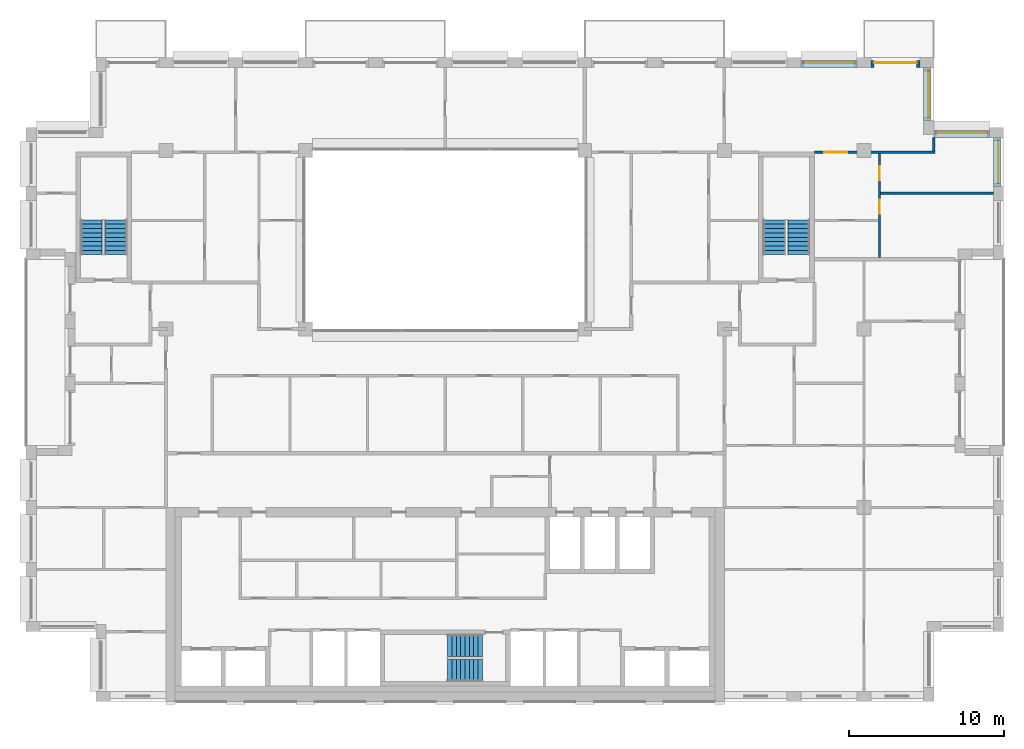
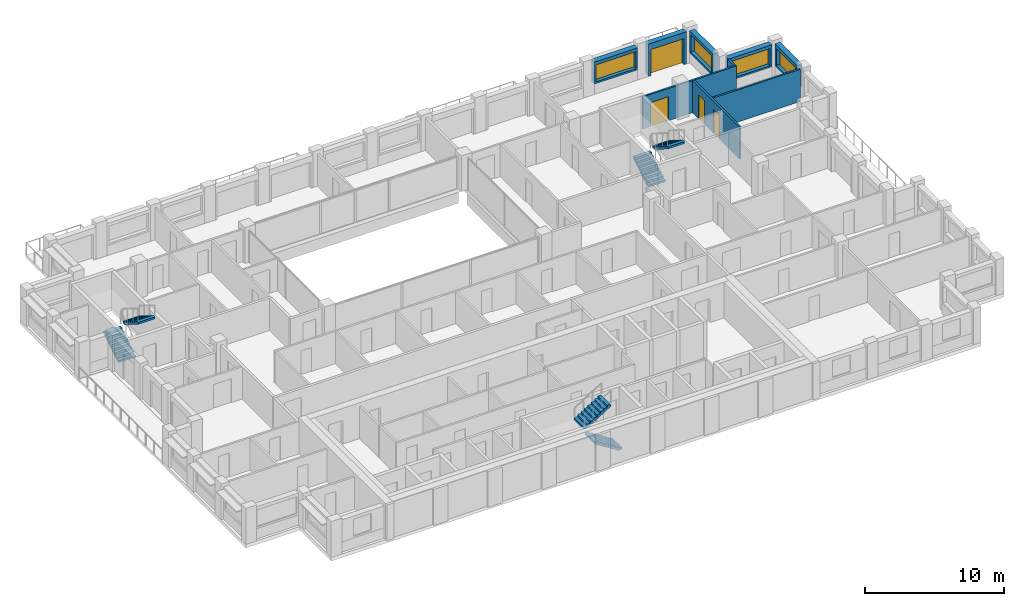
# One storey, part 14 of 15: 9 walls, 6 stair flights, 4 doors, 4 windows, 8 openings, 3 elements without a shape of their own.
"""IFC4 building model written with IfcOpenShell, lengths in metres."""

from ifc_helpers import new_model, si_unit, direction, frame, frame_2d, origin, place, context, subcontext, project, spatial, polyline, rectangle, outline, extrude, material, layer, layer_set, type_object, element, fill, aggregate, save


model = new_model("IFC4")

# Units and contexts
model_context = context("Model", 3, precision=1e-05, world=origin(), true_north=direction((0.0, 1.0)))
body_context = subcontext(model_context, "Body", "Model", "MODEL_VIEW")
ifc_project = project(units=[si_unit("LENGTHUNIT", "METRE"), si_unit("AREAUNIT", "SQUARE_METRE"), si_unit("VOLUMEUNIT", "CUBIC_METRE"), si_unit("PLANEANGLEUNIT", "RADIAN"), si_unit("MASSUNIT", "GRAM", prefix="KILO")], contexts=[model_context])

# Site, building, storey
site_placement = place(None, origin())
site = spatial("IfcSite", under=ifc_project, at=site_placement, CompositionType="ELEMENT")
building_placement = place(site_placement, origin())
building = spatial("IfcBuilding", under=site, at=building_placement, Name="Brigalow Station Residences", CompositionType="ELEMENT")
storey_placement = place(building_placement, frame((0.0, 0.0, 213.75)))
storey = spatial("IfcBuildingStorey", under=building, at=storey_placement, Name="L61", CompositionType="ELEMENT", Elevation=213.75)

# Wall, opening, window
ifc_material_1 = material(Name="Clay brick masonry", Category="masonry")
ifc_layer_1 = layer(ifc_material_1, 0.449951171875)
ifc_layer_set_1 = layer_set([ifc_layer_1], Name="BRICK INFILL WALL 450")
wall_type_1 = type_object("IfcWallType", Name="BRICK INFILL WALL 450", PredefinedType="SOLIDWALL", material=ifc_layer_set_1)
wall_1_placement = place(storey_placement, frame((71.574951171875, 33.199951171875, 0.89990234375), z_axis=(0.0, 0.0, 1.0), x_axis=(0.0, 1.0, 0.0)))
wall_1 = element("IfcWall", 1, at=wall_1_placement, inside=storey, type_object=wall_type_1, Name="L61/ewall/W-L61-17", PredefinedType="SOLIDWALL", context=body_context, shape_type="SweptSolid", body=[
    extrude(rectangle(XDim=3.150146484375, YDim=0.449951171875, at=frame_2d((1.5751953125, 0.0))), origin(), (0.0, 0.0, 1.0), 1.93017578125),
])
opening_1_placement = place(wall_1_placement, frame((0.199951171875, 0.0, 0.14990234375)))
opening_1 = element("IfcOpeningElement", 2, at=opening_1_placement, cuts=wall_1, Name="Opening WT-3", PredefinedType="OPENING", context=body_context, shape_type="SweptSolid", body=[
    extrude(rectangle(XDim=2.75, YDim=1.5, at=frame_2d((1.375, 0.75))), frame((0.0, 0.23486328125, 0.0), z_axis=(0.0, -1.0, 0.0), x_axis=(1.0, 0.0, 0.0)), (0.0, 0.0, 1.0), 0.469970703125),
])
ifc_material_2 = material(Name="Anodised aluminium frame with double glazing", Category="aluminium")
window_type_1 = type_object("IfcWindowType", Name="WINDOW 2750x1500", PartitioningType="SINGLE_PANEL", PredefinedType="WINDOW", material=ifc_material_2)
window_1_placement = place(opening_1_placement, origin())
window_1 = element("IfcWindow", 3, at=window_1_placement, inside=storey, type_object=window_type_1, Name="L61/window/W-L61-17", OverallHeight=1.5, OverallWidth=2.75, PartitioningType="SINGLE_PANEL", PredefinedType="WINDOW", context=body_context, shape_type="SweptSolid", body=[
    extrude(rectangle(XDim=2.75, YDim=1.5, at=frame_2d((1.375, 0.75))), frame((0.0, -0.06494140625, 0.0), z_axis=(0.0, -1.0, 0.0), x_axis=(1.0, 0.0, 0.0)), (0.0, 0.0, 1.0), 0.06005859375),
])
fill(opening_1, window_1)

wall_2_placement = place(storey_placement, frame((71.10009765625, 36.574951171875, 0.89990234375), z_axis=(0.0, 0.0, 1.0), x_axis=(-1.0, 0.0, 0.0)))
wall_2 = element("IfcWall", 4, at=wall_2_placement, inside=storey, type_object=wall_type_1, Name="L61/ewall/W-L61-18", PredefinedType="SOLIDWALL", context=body_context, shape_type="SweptSolid", body=[
    extrude(rectangle(XDim=3.60009765625, YDim=0.449951171875, at=frame_2d((1.800048828125, 0.0))), origin(), (0.0, 0.0, 1.0), 1.93017578125),
])
opening_2_placement = place(wall_2_placement, frame((0.14990234375, 0.0, 0.14990234375)))
opening_2 = element("IfcOpeningElement", 5, at=opening_2_placement, cuts=wall_2, Name="Opening WT-10", PredefinedType="OPENING", context=body_context, shape_type="SweptSolid", body=[
    extrude(rectangle(XDim=3.300048828125, YDim=1.5, at=frame_2d((1.64990234375, 0.75))), frame((0.0, 0.23486328125, 0.0), z_axis=(0.0, -1.0, 0.0), x_axis=(1.0, 0.0, 0.0)), (0.0, 0.0, 1.0), 0.469970703125),
])
ifc_material_3 = material(Name="Anodised aluminium frame with double glazing", Category="aluminium")
window_type_2 = type_object("IfcWindowType", Name="WINDOW 3300x1500", PartitioningType="SINGLE_PANEL", PredefinedType="WINDOW", material=ifc_material_3)
window_2_placement = place(opening_2_placement, origin())
window_2 = element("IfcWindow", 6, at=window_2_placement, inside=storey, type_object=window_type_2, Name="L61/window/W-L61-18", OverallHeight=1.5, OverallWidth=3.300048828125, PartitioningType="SINGLE_PANEL", PredefinedType="WINDOW", context=body_context, shape_type="SweptSolid", body=[
    extrude(rectangle(XDim=3.300048828125, YDim=1.5, at=frame_2d((1.64990234375, 0.75))), frame((0.0, -0.06494140625, 0.0), z_axis=(0.0, -1.0, 0.0), x_axis=(1.0, 0.0, 0.0)), (0.0, 0.0, 1.0), 0.06005859375),
])
fill(opening_2, window_2)

wall_3_placement = place(storey_placement, frame((67.074951171875, 37.449951171875, 0.89990234375), z_axis=(0.0, 0.0, 1.0), x_axis=(0.0, 1.0, 0.0)))
wall_3 = element("IfcWall", 7, at=wall_3_placement, inside=storey, type_object=wall_type_1, Name="L61/ewall/W-L61-19", PredefinedType="SOLIDWALL", context=body_context, shape_type="SweptSolid", body=[
    extrude(rectangle(XDim=3.400146484375, YDim=0.449951171875, at=frame_2d((1.7001953125, 0.0))), origin(), (0.0, 0.0, 1.0), 1.93017578125),
])
opening_3_placement = place(wall_3_placement, frame((0.199951171875, 0.0, 0.14990234375)))
opening_3 = element("IfcOpeningElement", 8, at=opening_3_placement, cuts=wall_3, Name="Opening WT-2", PredefinedType="OPENING", context=body_context, shape_type="SweptSolid", body=[
    extrude(rectangle(XDim=3.0, YDim=1.5, at=frame_2d((1.5, 0.75))), frame((0.0, 0.23486328125, 0.0), z_axis=(0.0, -1.0, 0.0), x_axis=(1.0, 0.0, 0.0)), (0.0, 0.0, 1.0), 0.469970703125),
])
ifc_material_4 = material(Name="Anodised aluminium frame with double glazing", Category="aluminium")
window_type_3 = type_object("IfcWindowType", Name="WINDOW 3000x1500", PartitioningType="SINGLE_PANEL", PredefinedType="WINDOW", material=ifc_material_4)
window_3_placement = place(opening_3_placement, origin())
window_3 = element("IfcWindow", 9, at=window_3_placement, inside=storey, type_object=window_type_3, Name="L61/window/W-L61-19", OverallHeight=1.5, OverallWidth=3.0, PartitioningType="SINGLE_PANEL", PredefinedType="WINDOW", context=body_context, shape_type="SweptSolid", body=[
    extrude(rectangle(XDim=3.0, YDim=1.5, at=frame_2d((1.5, 0.75))), frame((0.0, -0.06494140625, 0.0), z_axis=(0.0, -1.0, 0.0), x_axis=(1.0, 0.0, 0.0)), (0.0, 0.0, 1.0), 0.06005859375),
])
fill(opening_3, window_3)

# Wall, opening, door
wall_4_placement = place(storey_placement, frame((66.60009765625, 41.074951171875, 0.0), z_axis=(0.0, 0.0, 1.0), x_axis=(-1.0, 0.0, 0.0)))
wall_4 = element("IfcWall", 10, at=wall_4_placement, inside=storey, type_object=wall_type_1, Name="L61/ewall/W-L61-20", PredefinedType="SOLIDWALL", context=body_context, shape_type="SweptSolid", body=[
    extrude(rectangle(XDim=3.150146484375, YDim=0.449951171875, at=frame_2d((1.5751953125, 0.0))), origin(), (0.0, 0.0, 1.0), 2.830078125),
])
opening_4_placement = place(wall_4_placement, frame((0.199951171875, 0.0, 0.0)))
opening_4 = element("IfcOpeningElement", 11, at=opening_4_placement, cuts=wall_4, Name="Opening D-B2750", PredefinedType="OPENING", context=body_context, shape_type="SweptSolid", body=[
    extrude(rectangle(XDim=2.75, YDim=2.300048828125, at=frame_2d((1.375, 1.14990234375))), frame((0.0, 0.23486328125, 0.0), z_axis=(0.0, -1.0, 0.0), x_axis=(1.0, 0.0, 0.0)), (0.0, 0.0, 1.0), 0.469970703125),
])
ifc_material_5 = material(Name="Anodised aluminium frame with double glazing", Category="aluminium")
door_type_1 = type_object("IfcDoorType", Name="BALCONY SLIDING DOOR 2750x2300", OperationType="SLIDING_TO_LEFT", PredefinedType="DOOR", material=ifc_material_5)
door_1_placement = place(opening_4_placement, origin())
door_1 = element("IfcDoor", 12, at=door_1_placement, inside=storey, type_object=door_type_1, Name="L61/balcony-door/W-L61-20", OperationType="SLIDING_TO_LEFT", OverallHeight=2.300048828125, OverallWidth=2.75, PredefinedType="DOOR", context=body_context, shape_type="SweptSolid", body=[
    extrude(rectangle(XDim=2.75, YDim=2.300048828125, at=frame_2d((1.375, 1.14990234375))), frame((0.0, -0.06982421875, 0.0), z_axis=(0.0, -1.0, 0.0), x_axis=(1.0, 0.0, 0.0)), (0.0, 0.0, 1.0), 0.050048828125),
])
fill(opening_4, door_1)

# Wall, opening, window
wall_5_placement = place(storey_placement, frame((62.550048828125, 41.074951171875, 0.89990234375), z_axis=(0.0, 0.0, 1.0), x_axis=(-1.0, 0.0, 0.0)))
wall_5 = element("IfcWall", 13, at=wall_5_placement, inside=storey, type_object=wall_type_1, Name="L61/ewall/W-L61-21", PredefinedType="SOLIDWALL", context=body_context, shape_type="SweptSolid", body=[
    extrude(rectangle(XDim=3.60009765625, YDim=0.449951171875, at=frame_2d((1.800048828125, 0.0))), origin(), (0.0, 0.0, 1.0), 1.93017578125),
])
opening_5_placement = place(wall_5_placement, frame((0.14990234375, 0.0, 0.14990234375)))
opening_5 = element("IfcOpeningElement", 14, at=opening_5_placement, cuts=wall_5, Name="Opening WT-10", PredefinedType="OPENING", context=body_context, shape_type="SweptSolid", body=[
    extrude(rectangle(XDim=3.300048828125, YDim=1.5, at=frame_2d((1.64990234375, 0.75))), frame((0.0, 0.23486328125, 0.0), z_axis=(0.0, -1.0, 0.0), x_axis=(1.0, 0.0, 0.0)), (0.0, 0.0, 1.0), 0.469970703125),
])
window_4_placement = place(opening_5_placement, origin())
window_4 = element("IfcWindow", 15, at=window_4_placement, inside=storey, type_object=window_type_2, Name="L61/window/W-L61-21", OverallHeight=1.5, OverallWidth=3.300048828125, PartitioningType="SINGLE_PANEL", PredefinedType="WINDOW", context=body_context, shape_type="SweptSolid", body=[
    extrude(rectangle(XDim=3.300048828125, YDim=1.5, at=frame_2d((1.64990234375, 0.75))), frame((0.0, -0.06494140625, 0.0), z_axis=(0.0, -1.0, 0.0), x_axis=(1.0, 0.0, 0.0)), (0.0, 0.0, 1.0), 0.06005859375),
])
fill(opening_5, window_4)

# Wall, opening, door
ifc_material_6 = material(Name="Plasterboard on steel stud partition", Category="steel")
ifc_layer_2 = layer(ifc_material_6, 0.14990234375)
ifc_layer_set_2 = layer_set([ifc_layer_2], Name="FLAT PARTITION 150")
wall_type_2 = type_object("IfcWallType", Name="FLAT PARTITION 150", PredefinedType="PARTITIONING", material=ifc_layer_set_2)
wall_6_placement = place(storey_placement, frame((59.800048828125, 35.39990234375, 0.0), z_axis=(0.0, 0.0, 1.0), x_axis=(1.0, 0.0, 0.0)))
wall_6 = element("IfcWall", 16, at=wall_6_placement, inside=storey, type_object=wall_type_2, Name="PW-4B21", PredefinedType="PARTITIONING", context=body_context, shape_type="SweptSolid", body=[
    extrude(rectangle(XDim=7.77490234375, YDim=0.14990234375, at=frame_2d((3.887451171875, 0.0))), origin(), (0.0, 0.0, 1.0), 2.830078125),
])
opening_6_placement = place(wall_6_placement, frame((0.625, 0.0, 0.0)))
opening_6 = element("IfcOpeningElement", 17, at=opening_6_placement, cuts=wall_6, Name="Opening D-4B27", PredefinedType="OPENING", context=body_context, shape_type="SweptSolid", body=[
    extrude(rectangle(XDim=1.5, YDim=2.10009765625, at=frame_2d((0.75, 1.050048828125))), frame((0.0, 0.0849609375, 0.0), z_axis=(0.0, -1.0, 0.0), x_axis=(1.0, 0.0, 0.0)), (0.0, 0.0, 1.0), 0.169921875),
])
ifc_material_7 = material(Name="Solid-core timber door leaf", Category="wood")
door_type_2 = type_object("IfcDoorType", Name="INTERNAL DOUBLE DOOR 1500 x 2100", OperationType="DOUBLE_DOOR_SINGLE_SWING", PredefinedType="DOOR", material=ifc_material_7)
door_2_placement = place(opening_6_placement, origin())
door_2 = element("IfcDoor", 18, at=door_2_placement, inside=storey, type_object=door_type_2, Name="D-4B27", OperationType="DOUBLE_DOOR_SINGLE_SWING", OverallHeight=2.10009765625, OverallWidth=1.5, PredefinedType="DOOR", context=body_context, shape_type="SweptSolid", body=[
    extrude(rectangle(XDim=1.5, YDim=2.10009765625, at=frame_2d((0.75, 1.050048828125))), frame((0.0, 0.02490234375, 0.0), z_axis=(0.0, -1.0, 0.0), x_axis=(1.0, 0.0, 0.0)), (0.0, 0.0, 1.0), 0.050048828125),
])
fill(opening_6, door_2)

# Walls
wall_7_placement = place(storey_placement, frame((64.074951171875, 32.75, 0.0), z_axis=(0.0, 0.0, 1.0), x_axis=(1.0, 0.0, 0.0)))
element("IfcWall", 19, at=wall_7_placement, inside=storey, type_object=wall_type_2, Name="PW-4B23", PredefinedType="PARTITIONING", context=body_context, shape_type="SweptSolid", body=[
    extrude(rectangle(XDim=7.275146484375, YDim=0.14990234375, at=frame_2d((3.6376953125, 0.0))), origin(), (0.0, 0.0, 1.0), 2.830078125),
])
wall_8_placement = place(storey_placement, frame((67.5, 35.47509765625, 0.0), z_axis=(0.0, 0.0, 1.0), x_axis=(0.0, 1.0, 0.0)))
element("IfcWall", 20, at=wall_8_placement, inside=storey, type_object=wall_type_2, Name="PW-4B45", PredefinedType="PARTITIONING", context=body_context, shape_type="SweptSolid", body=[
    extrude(rectangle(XDim=0.875, YDim=0.14990234375, at=frame_2d((0.4375, 0.0))), origin(), (0.0, 0.0, 1.0), 2.830078125),
])

# Wall, openings, doors
wall_9_placement = place(storey_placement, frame((64.0, 28.60009765625, 0.0), z_axis=(0.0, 0.0, 1.0), x_axis=(0.0, 1.0, 0.0)))
wall_9 = element("IfcWall", 21, at=wall_9_placement, inside=storey, type_object=wall_type_2, Name="PW-4B46", PredefinedType="PARTITIONING", context=body_context, shape_type="SweptSolid", body=[
    extrude(rectangle(XDim=6.724853515625, YDim=0.14990234375, at=frame_2d((3.3623046875, 0.0))), origin(), (0.0, 0.0, 1.0), 2.830078125),
])
opening_7_placement = place(wall_9_placement, frame((2.824951171875, 0.0, 0.0)))
opening_7 = element("IfcOpeningElement", 22, at=opening_7_placement, cuts=wall_9, Name="Opening D-4B28", PredefinedType="OPENING", context=body_context, shape_type="SweptSolid", body=[
    extrude(rectangle(XDim=0.89990234375, YDim=2.10009765625, at=frame_2d((0.449951171875, 1.050048828125))), frame((0.0, 0.0849609375, 0.0), z_axis=(0.0, -1.0, 0.0), x_axis=(1.0, 0.0, 0.0)), (0.0, 0.0, 1.0), 0.169921875),
])
opening_8_placement = place(wall_9_placement, frame((5.0, 0.0, 0.0)))
opening_8 = element("IfcOpeningElement", 23, at=opening_8_placement, cuts=wall_9, Name="Opening D-4B29", PredefinedType="OPENING", context=body_context, shape_type="SweptSolid", body=[
    extrude(rectangle(XDim=0.89990234375, YDim=2.10009765625, at=frame_2d((0.449951171875, 1.050048828125))), frame((0.0, 0.0849609375, 0.0), z_axis=(0.0, -1.0, 0.0), x_axis=(1.0, 0.0, 0.0)), (0.0, 0.0, 1.0), 0.169921875),
])
ifc_material_8 = material(Name="Solid-core timber door leaf", Category="wood")
door_type_3 = type_object("IfcDoorType", Name="INTERNAL DOOR 900 x 2100", OperationType="SINGLE_SWING_LEFT", PredefinedType="DOOR", material=ifc_material_8)
door_3_placement = place(opening_7_placement, frame((0.89990234375, 0.0, 0.0), z_axis=(0.0, 0.0, 1.0), x_axis=(-1.0, 0.0, 0.0)))
door_3 = element("IfcDoor", 24, at=door_3_placement, inside=storey, type_object=door_type_3, Name="D-4B28", OperationType="SINGLE_SWING_LEFT", OverallHeight=2.10009765625, OverallWidth=0.89990234375, PredefinedType="DOOR", context=body_context, shape_type="SweptSolid", body=[
    extrude(rectangle(XDim=0.89990234375, YDim=2.10009765625, at=frame_2d((0.449951171875, 1.050048828125))), frame((0.0, 0.02490234375, 0.0), z_axis=(0.0, -1.0, 0.0), x_axis=(1.0, 0.0, 0.0)), (0.0, 0.0, 1.0), 0.050048828125),
])
fill(opening_7, door_3)
door_4_placement = place(opening_8_placement, frame((0.89990234375, 0.0, 0.0), z_axis=(0.0, 0.0, 1.0), x_axis=(-1.0, 0.0, 0.0)))
door_4 = element("IfcDoor", 25, at=door_4_placement, inside=storey, type_object=door_type_3, Name="D-4B29", OperationType="SINGLE_SWING_RIGHT", OverallHeight=2.10009765625, OverallWidth=0.89990234375, PredefinedType="DOOR", context=body_context, shape_type="SweptSolid", body=[
    extrude(rectangle(XDim=0.89990234375, YDim=2.10009765625, at=frame_2d((0.449951171875, 1.050048828125))), frame((0.0, 0.02490234375, 0.0), z_axis=(0.0, -1.0, 0.0), x_axis=(1.0, 0.0, 0.0)), (0.0, 0.0, 1.0), 0.050048828125),
])
fill(opening_8, door_4)

# Stair, stair flights
ifc_material_9 = material(Name="Concrete C50", Category="concrete")
stair_type = type_object("IfcStairType", Name="EXIT STAIR 1400 2 FLIGHT", PredefinedType="HALF_TURN_STAIR", material=ifc_material_9)
stair_1_placement = place(storey_placement, origin())
stair_1 = element("IfcStair", 26, at=stair_1_placement, inside=storey, type_object=stair_type, Name="EXIT STAIR S2 L61", PredefinedType="HALF_TURN_STAIR")
ifc_material_10 = material(Name="Concrete C50", Category="concrete")
stair_flight_type = type_object("IfcStairFlightType", Name="STAIR FLIGHT 1400", PredefinedType="STRAIGHT", material=ifc_material_10)
stair_flight_1_placement = place(storey_placement, frame((38.39990234375, 2.0, 0.0), z_axis=(0.0, 0.0, 1.0), x_axis=(-1.0, 0.0, 0.0)))
stair_flight_1 = element("IfcStairFlight", 27, at=stair_flight_1_placement, type_object=stair_flight_type, Name="ST-2 flight 1", NumberOfRisers=9, NumberOfTreads=8, PredefinedType="STRAIGHT", RiserHeight=0.175, TreadLength=0.28, context=body_context, shape_type="SweptSolid", body=[
    extrude(outline(polyline([(0.0, 0.0), (0.0, 0.175048828125), (0.280029296875, 0.175048828125), (0.280029296875, 0.35009765625), (0.56005859375, 0.35009765625), (0.56005859375, 0.52490234375), (0.840087890625, 0.52490234375), (0.840087890625, 0.699951171875), (1.1201171875, 0.699951171875), (1.1201171875, 0.875), (1.39990234375, 0.875), (1.39990234375, 1.050048828125), (1.679931640625, 1.050048828125), (1.679931640625, 1.22509765625), (1.9599609375, 1.22509765625), (1.9599609375, 1.39990234375), (2.239990234375, 1.39990234375), (2.239990234375, 1.574951171875), (2.239990234375, 1.22314453125), (0.28271484375, 0.0), (0.0, 0.0)])), frame((0.0, 0.699951171875, 0.0), z_axis=(0.0, -1.0, 0.0), x_axis=(1.0, 0.0, 0.0)), (0.0, 0.0, 1.0), 1.39990234375),
])
stair_flight_2_placement = place(storey_placement, frame((36.159912109375, 3.60009765625, 1.574951171875), z_axis=(0.0, 0.0, 1.0), x_axis=(1.0, 0.0, 0.0)))
stair_flight_2 = element("IfcStairFlight", 28, at=stair_flight_2_placement, type_object=stair_flight_type, Name="ST-2 flight 2", NumberOfRisers=9, NumberOfTreads=8, PredefinedType="STRAIGHT", RiserHeight=0.175, TreadLength=0.28, context=body_context, shape_type="SweptSolid", body=[
    extrude(outline(polyline([(0.0, 0.0), (0.0, 0.175048828125), (0.280029296875, 0.175048828125), (0.280029296875, 0.35009765625), (0.56005859375, 0.35009765625), (0.56005859375, 0.52490234375), (0.840087890625, 0.52490234375), (0.840087890625, 0.699951171875), (1.1201171875, 0.699951171875), (1.1201171875, 0.875), (1.39990234375, 0.875), (1.39990234375, 1.050048828125), (1.679931640625, 1.050048828125), (1.679931640625, 1.22509765625), (1.9599609375, 1.22509765625), (1.9599609375, 1.39990234375), (2.239990234375, 1.39990234375), (2.239990234375, 1.574951171875), (2.239990234375, 1.22314453125), (0.28271484375, 0.0), (0.0, 0.0)])), frame((0.0, 0.699951171875, 0.0), z_axis=(0.0, -1.0, 0.0), x_axis=(1.0, 0.0, 0.0)), (0.0, 0.0, 1.0), 1.39990234375),
])
aggregate(stair_1, [stair_flight_1, stair_flight_2])

stair_2_placement = place(storey_placement, origin())
stair_2 = element("IfcStair", 29, at=stair_2_placement, inside=storey, type_object=stair_type, Name="EXIT STAIR S1 L61", PredefinedType="HALF_TURN_STAIR")
stair_flight_3_placement = place(storey_placement, frame((13.199951171875, 28.800048828125, 0.0), z_axis=(0.0, 0.0, 1.0), x_axis=(0.0, 1.0, 0.0)))
stair_flight_3 = element("IfcStairFlight", 30, at=stair_flight_3_placement, type_object=stair_flight_type, Name="ST-1 flight 1", NumberOfRisers=9, NumberOfTreads=8, PredefinedType="STRAIGHT", RiserHeight=0.175, TreadLength=0.28, context=body_context, shape_type="SweptSolid", body=[
    extrude(outline(polyline([(0.0, 0.0), (0.0, 0.175048828125), (0.280029296875, 0.175048828125), (0.280029296875, 0.35009765625), (0.56005859375, 0.35009765625), (0.56005859375, 0.52490234375), (0.840087890625, 0.52490234375), (0.840087890625, 0.699951171875), (1.1201171875, 0.699951171875), (1.1201171875, 0.875), (1.39990234375, 0.875), (1.39990234375, 1.050048828125), (1.679931640625, 1.050048828125), (1.679931640625, 1.22509765625), (1.9599609375, 1.22509765625), (1.9599609375, 1.39990234375), (2.239990234375, 1.39990234375), (2.239990234375, 1.574951171875), (2.239990234375, 1.22314453125), (0.28271484375, 0.0), (0.0, 0.0)])), frame((0.0, 0.699951171875, 0.0), z_axis=(0.0, -1.0, 0.0), x_axis=(1.0, 0.0, 0.0)), (0.0, 0.0, 1.0), 1.39990234375),
])
stair_flight_4_placement = place(storey_placement, frame((14.800048828125, 31.0400390625, 1.574951171875), z_axis=(0.0, 0.0, 1.0), x_axis=(0.0, -1.0, 0.0)))
stair_flight_4 = element("IfcStairFlight", 31, at=stair_flight_4_placement, type_object=stair_flight_type, Name="ST-1 flight 2", NumberOfRisers=9, NumberOfTreads=8, PredefinedType="STRAIGHT", RiserHeight=0.175, TreadLength=0.28, context=body_context, shape_type="SweptSolid", body=[
    extrude(outline(polyline([(0.0, 0.0), (0.0, 0.175048828125), (0.280029296875, 0.175048828125), (0.280029296875, 0.35009765625), (0.56005859375, 0.35009765625), (0.56005859375, 0.52490234375), (0.840087890625, 0.52490234375), (0.840087890625, 0.699951171875), (1.1201171875, 0.699951171875), (1.1201171875, 0.875), (1.39990234375, 0.875), (1.39990234375, 1.050048828125), (1.679931640625, 1.050048828125), (1.679931640625, 1.22509765625), (1.9599609375, 1.22509765625), (1.9599609375, 1.39990234375), (2.239990234375, 1.39990234375), (2.239990234375, 1.574951171875), (2.239990234375, 1.22314453125), (0.28271484375, 0.0), (0.0, 0.0)])), frame((0.0, 0.699951171875, 0.0), z_axis=(0.0, -1.0, 0.0), x_axis=(1.0, 0.0, 0.0)), (0.0, 0.0, 1.0), 1.39990234375),
])
aggregate(stair_2, [stair_flight_3, stair_flight_4])

stair_3_placement = place(storey_placement, origin())
stair_3 = element("IfcStair", 32, at=stair_3_placement, inside=storey, type_object=stair_type, Name="EXIT STAIR S3 L61", PredefinedType="HALF_TURN_STAIR")
stair_flight_5_placement = place(storey_placement, frame((57.199951171875, 28.800048828125, 0.0), z_axis=(0.0, 0.0, 1.0), x_axis=(0.0, 1.0, 0.0)))
stair_flight_5 = element("IfcStairFlight", 33, at=stair_flight_5_placement, type_object=stair_flight_type, Name="ST-3 flight 1", NumberOfRisers=9, NumberOfTreads=8, PredefinedType="STRAIGHT", RiserHeight=0.175, TreadLength=0.28, context=body_context, shape_type="SweptSolid", body=[
    extrude(outline(polyline([(0.0, 0.0), (0.0, 0.175048828125), (0.280029296875, 0.175048828125), (0.280029296875, 0.35009765625), (0.56005859375, 0.35009765625), (0.56005859375, 0.52490234375), (0.840087890625, 0.52490234375), (0.840087890625, 0.699951171875), (1.1201171875, 0.699951171875), (1.1201171875, 0.875), (1.39990234375, 0.875), (1.39990234375, 1.050048828125), (1.679931640625, 1.050048828125), (1.679931640625, 1.22509765625), (1.9599609375, 1.22509765625), (1.9599609375, 1.39990234375), (2.239990234375, 1.39990234375), (2.239990234375, 1.574951171875), (2.239990234375, 1.22314453125), (0.28271484375, 0.0), (0.0, 0.0)])), frame((0.0, 0.699951171875, 0.0), z_axis=(0.0, -1.0, 0.0), x_axis=(1.0, 0.0, 0.0)), (0.0, 0.0, 1.0), 1.39990234375),
])
stair_flight_6_placement = place(storey_placement, frame((58.800048828125, 31.0400390625, 1.574951171875), z_axis=(0.0, 0.0, 1.0), x_axis=(0.0, -1.0, 0.0)))
stair_flight_6 = element("IfcStairFlight", 34, at=stair_flight_6_placement, type_object=stair_flight_type, Name="ST-3 flight 2", NumberOfRisers=9, NumberOfTreads=8, PredefinedType="STRAIGHT", RiserHeight=0.175, TreadLength=0.28, context=body_context, shape_type="SweptSolid", body=[
    extrude(outline(polyline([(0.0, 0.0), (0.0, 0.175048828125), (0.280029296875, 0.175048828125), (0.280029296875, 0.35009765625), (0.56005859375, 0.35009765625), (0.56005859375, 0.52490234375), (0.840087890625, 0.52490234375), (0.840087890625, 0.699951171875), (1.1201171875, 0.699951171875), (1.1201171875, 0.875), (1.39990234375, 0.875), (1.39990234375, 1.050048828125), (1.679931640625, 1.050048828125), (1.679931640625, 1.22509765625), (1.9599609375, 1.22509765625), (1.9599609375, 1.39990234375), (2.239990234375, 1.39990234375), (2.239990234375, 1.574951171875), (2.239990234375, 1.22314453125), (0.28271484375, 0.0), (0.0, 0.0)])), frame((0.0, 0.699951171875, 0.0), z_axis=(0.0, -1.0, 0.0), x_axis=(1.0, 0.0, 0.0)), (0.0, 0.0, 1.0), 1.39990234375),
])
aggregate(stair_3, [stair_flight_5, stair_flight_6])

save(model, "model.ifc")
